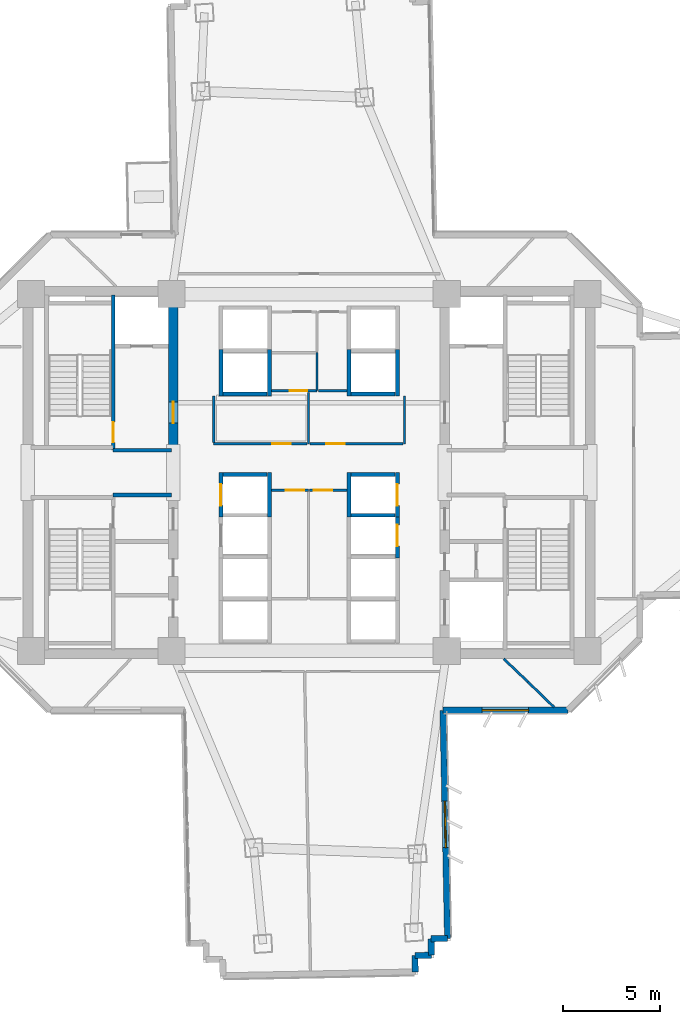
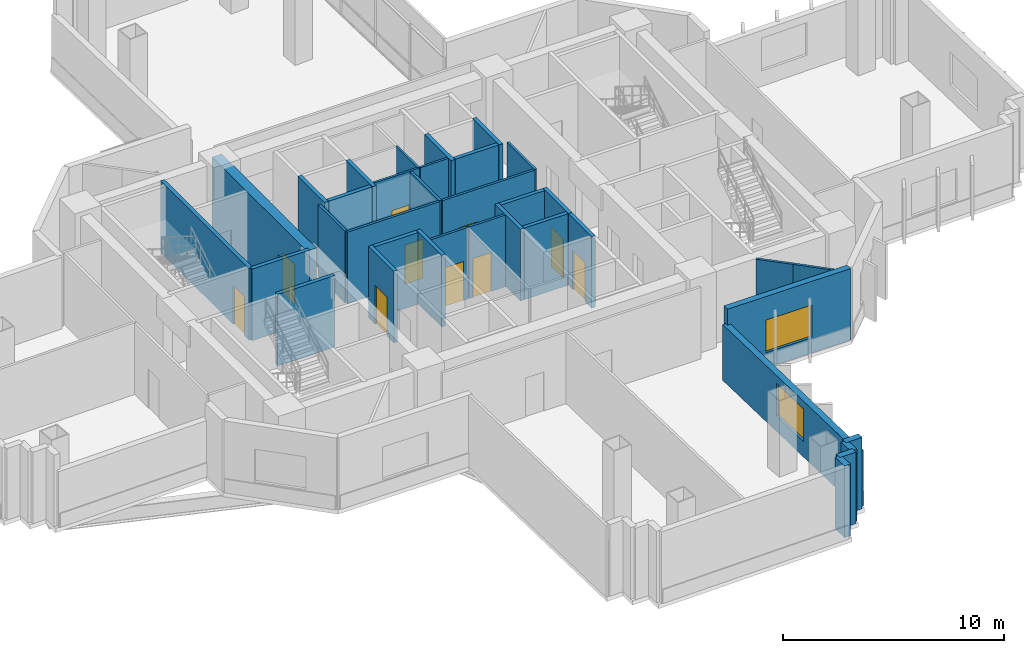
# One storey, part 7 of 15: 36 walls, 10 doors, 2 windows, 12 openings.
"""IFC4 building model written with IfcOpenShell, lengths in metres."""

import ifcopenshell
import ifcopenshell.guid

model = None  # the IFC model being written
_history = None  # IfcOwnerHistory: only IFC2X3 demands one
_inside = {}  # id of a spatial element -> (the spatial element, [elements in it])
_under = {}  # id of a project, library or spatial element -> (it, [spatial elements below it])
_declared = {}  # id of a project -> (the project, [libraries it declares])
_typed = {}  # id of a type object -> (the type object, [elements of that type])
_made_of = {}  # id of a material, layer set ... -> (it, [elements and type objects made of it])


def new_model(schema):
    """Start an empty IFC model of exactly this schema.

    Asked for "IFC4X3", IfcOpenShell would pick the latest addendum, in which some entities
    have other attributes; the version numbers below select the first issue.
    IFC2X3 requires an IfcOwnerHistory on every rooted entity: one is made here for all.
    """
    global model, _history
    if schema == "IFC4X3":
        model = ifcopenshell.file(schema_version=(4, 3, 0, 0))
    else:
        model = ifcopenshell.file(schema=schema)
    _inside.clear()
    _under.clear()
    _declared.clear()
    _typed.clear()
    _made_of.clear()
    _history = None
    if model.schema == "IFC2X3":
        org = make("IfcOrganization", Name="unknown")
        user = make(
            "IfcPersonAndOrganization",
            ThePerson=make("IfcPerson", FamilyName="unknown"),
            TheOrganization=org,
        )
        app = make(
            "IfcApplication",
            ApplicationDeveloper=org,
            Version="unknown",
            ApplicationFullName="unknown",
            ApplicationIdentifier="unknown",
        )
        _history = make(
            "IfcOwnerHistory",
            OwningUser=user,
            OwningApplication=app,
            ChangeAction="ADDED",
            CreationDate=0,
        )
    return model


def make(cls, **values):
    """One entity of the class cls with the attributes given. An attribute that is None is left unset."""
    return model.create_entity(
        cls, **{name: value for name, value in values.items() if value is not None}
    )


def rooted(cls, **values):
    """An entity with a GlobalId (a new one), such as an element, a storey or a relation."""
    return make(cls, GlobalId=ifcopenshell.guid.new(), OwnerHistory=_history, **values)


def si_unit(unit_type, name, prefix=None):
    """IfcSIUnit, for example si_unit("LENGTHUNIT", "METRE", prefix="MILLI")."""
    return make("IfcSIUnit", UnitType=unit_type, Prefix=prefix, Name=name)


def assignment(units):
    """IfcUnitAssignment: the units of a project."""
    return None if units is None else make("IfcUnitAssignment", Units=units)


def point(xyz):
    """IfcCartesianPoint."""
    return None if xyz is None else make("IfcCartesianPoint", Coordinates=xyz)


def direction(xyz):
    """IfcDirection."""
    return None if xyz is None else make("IfcDirection", DirectionRatios=xyz)


def frame(location, z_axis=None, x_axis=None):
    """IfcAxis2Placement3D, a coordinate frame: its origin and axes. An axis left out is left unset."""
    return make(
        "IfcAxis2Placement3D",
        Location=point(location),
        Axis=direction(z_axis),
        RefDirection=direction(x_axis),
    )


def frame_2d(location, x_axis=None):
    """IfcAxis2Placement2D, a coordinate frame in the plane: its origin and x axis."""
    return make(
        "IfcAxis2Placement2D", Location=point(location), RefDirection=direction(x_axis)
    )


def origin():
    """The frame at (0, 0, 0) with its axes left unset."""
    return frame((0.0, 0.0, 0.0))


def place(relative_to, where):
    """IfcLocalPlacement: puts the frame where relative to a parent placement (None: the world)."""
    return make(
        "IfcLocalPlacement", PlacementRelTo=relative_to, RelativePlacement=where
    )


def context(
    kind, dimensions, precision=None, world=None, true_north=None, identifier=None
):
    """IfcGeometricRepresentationContext, for example the 3D "Model" context."""
    return make(
        "IfcGeometricRepresentationContext",
        ContextIdentifier=identifier,
        ContextType=kind,
        CoordinateSpaceDimension=dimensions,
        Precision=precision,
        WorldCoordinateSystem=world,
        TrueNorth=true_north,
    )


def subcontext(parent, identifier, kind, view, scale=None):
    """IfcGeometricRepresentationSubContext, for example "Body" below "Model"."""
    return make(
        "IfcGeometricRepresentationSubContext",
        ContextIdentifier=identifier,
        ContextType=kind,
        ParentContext=parent,
        TargetScale=scale,
        TargetView=view,
    )


def project(units=None, contexts=None):
    """IfcProject with its units and contexts."""
    return rooted(
        "IfcProject",
        Name="project",
        RepresentationContexts=contexts,
        UnitsInContext=assignment(units),
    )


def spatial(cls, under=None, at=None, **own):
    """A site, building, storey or space (cls), placed at a placement, below another one or the project."""
    s = rooted(cls, ObjectPlacement=at, **own)
    if under is not None:
        _under.setdefault(under.id(), (under, []))[1].append(s)
    return s


def profile(cls, at=None, kind="AREA", **sizes):
    """A parametric profile (cls). Its sizes go by their IFC names, for example OverallWidth=200.0."""
    return make(cls, ProfileType=kind, Position=at, **sizes)


def rectangle(**sizes):
    """IfcRectangleProfileDef."""
    return profile("IfcRectangleProfileDef", **sizes)


def extrude(swept, where, along, depth):
    """IfcExtrudedAreaSolid: the profile swept, set in the frame where, extruded along a direction by depth."""
    return make(
        "IfcExtrudedAreaSolid",
        SweptArea=swept,
        Position=where,
        ExtrudedDirection=direction(along),
        Depth=depth,
    )


def shape(context_of_items, identifier, shape_type, items):
    """IfcShapeRepresentation: the items that make up one representation, for example the "Body"."""
    return make(
        "IfcShapeRepresentation",
        ContextOfItems=context_of_items,
        RepresentationIdentifier=identifier,
        RepresentationType=shape_type,
        Items=items,
    )


def source(mapping_origin, context_of_items, identifier, shape_type, items):
    """IfcRepresentationMap: a shape defined once, which mapped items show again and again."""
    return make(
        "IfcRepresentationMap",
        MappingOrigin=mapping_origin,
        MappedRepresentation=shape(context_of_items, identifier, shape_type, items),
    )


def transform(
    local_origin,
    x_axis=None,
    y_axis=None,
    z_axis=None,
    scale=None,
    scale2=None,
    scale3=None,
    uniform=True,
):
    """IfcCartesianTransformationOperator3D, or its non-uniform kind. x_axis, y_axis, z_axis: its Axis1, 2, 3."""
    if uniform:
        return make(
            "IfcCartesianTransformationOperator3D",
            Axis1=direction(x_axis),
            Axis2=direction(y_axis),
            LocalOrigin=point(local_origin),
            Scale=scale,
            Axis3=direction(z_axis),
        )
    return make(
        "IfcCartesianTransformationOperator3DnonUniform",
        Axis1=direction(x_axis),
        Axis2=direction(y_axis),
        LocalOrigin=point(local_origin),
        Scale=scale,
        Axis3=direction(z_axis),
        Scale2=scale2,
        Scale3=scale3,
    )


def mapped(mapping_source, mapping_target):
    """IfcMappedItem: shows the shape of a source again, moved by a transform."""
    return make(
        "IfcMappedItem", MappingSource=mapping_source, MappingTarget=mapping_target
    )


def material(Name=None, Category=None):
    """IfcMaterial."""
    return make("IfcMaterial", Name=Name, Category=Category)


def layer(
    of_material, thickness, ventilated=None, Name=None, Category=None, Priority=None
):
    """IfcMaterialLayer: one layer of a wall or slab, of a material (None: an air gap)."""
    return make(
        "IfcMaterialLayer",
        Material=of_material,
        LayerThickness=thickness,
        IsVentilated=ventilated,
        Name=Name,
        Category=Category,
        Priority=Priority,
    )


def layer_set(layers, Name=None):
    """IfcMaterialLayerSet."""
    return make("IfcMaterialLayerSet", MaterialLayers=layers, LayerSetName=Name)


def made_of(thing, what):
    """Note that an element or type object is made of a material, layer set ...; save() writes the relation."""
    if what is not None:
        _made_of.setdefault(what.id(), (what, []))[1].append(thing)
    return thing


def type_object(cls, material=None, **own):
    """A type object (cls), such as IfcWallType, which elements share."""
    return made_of(rooted(cls, **own), material)


def element(
    cls,
    number,
    at=None,
    inside=None,
    cuts=None,
    type_object=None,
    material=None,
    context=None,
    identifier="Body",
    shape_type=None,
    held_by="IfcProductDefinitionShape",
    body=None,
    shapes=None,
    **own,
):
    """One element of the class cls, such as IfcWall. Its Tag is "e" and its number.

    at: its placement. inside: the storey or other place that contains it. cuts: it is an
    opening in that element (IfcRelVoidsElement). A single representation is given by context,
    identifier, shape_type and body (its items); several are given by shapes. held_by: the class
    of the entity that holds the representations. save() writes the other relations.
    """
    e = rooted(cls, Tag="e%d" % number, ObjectPlacement=at, **own)
    if body is not None:
        shapes = [shape(context, identifier, shape_type, body)]
    if shapes is not None:
        e.Representation = make(held_by, Representations=shapes)
    if inside is not None:
        _inside.setdefault(inside.id(), (inside, []))[1].append(e)
    if cuts is not None:
        rooted(
            "IfcRelVoidsElement", RelatingBuildingElement=cuts, RelatedOpeningElement=e
        )
    if type_object is not None:
        _typed.setdefault(type_object.id(), (type_object, []))[1].append(e)
    return made_of(e, material)


def fill(opening, filler):
    """IfcRelFillsElement: the door or window that sits in an opening."""
    return rooted(
        "IfcRelFillsElement",
        RelatingOpeningElement=opening,
        RelatedBuildingElement=filler,
    )


def aggregate(whole, parts):
    """IfcRelAggregates: a whole, such as a stair, and the parts it consists of."""
    return rooted("IfcRelAggregates", RelatingObject=whole, RelatedObjects=parts)


def save(model, path):
    """Write the relations noted so far, then the file.

    IfcRelAggregates (storeys below a building ...), IfcRelContainedInSpatialStructure (elements
    in a storey), IfcRelDefinesByType, IfcRelAssociatesMaterial and IfcRelDeclares: one each for
    every whole, place, type object, material and project.
    """
    for whole, parts in _under.values():
        aggregate(whole, parts)
    for where, things in _inside.values():
        rooted(
            "IfcRelContainedInSpatialStructure",
            RelatedElements=things,
            RelatingStructure=where,
        )
    for kind, things in _typed.values():
        rooted("IfcRelDefinesByType", RelatedObjects=things, RelatingType=kind)
    for what, things in _made_of.values():
        rooted("IfcRelAssociatesMaterial", RelatedObjects=things, RelatingMaterial=what)
    for by, libraries in _declared.values():
        rooted("IfcRelDeclares", RelatingContext=by, RelatedDefinitions=libraries)
    model.write(path)


model = new_model("IFC4")

# Units and contexts
model_context = context("Model", 3, precision=1e-05, world=origin(), true_north=direction((0.0, 1.0)))
body_context = subcontext(model_context, "Body", "Model", "MODEL_VIEW")
ifc_project = project(units=[si_unit("LENGTHUNIT", "METRE"), si_unit("AREAUNIT", "SQUARE_METRE"), si_unit("VOLUMEUNIT", "CUBIC_METRE"), si_unit("PLANEANGLEUNIT", "RADIAN"), si_unit("MASSUNIT", "GRAM", prefix="KILO")], contexts=[model_context])

# Site, building, storey
site_placement = place(None, origin())
site = spatial("IfcSite", under=ifc_project, at=site_placement, CompositionType="ELEMENT")
building_placement = place(site_placement, origin())
building = spatial("IfcBuilding", under=site, at=building_placement, Name="Zahravan Cultural Tower", CompositionType="ELEMENT")
storey_placement = place(building_placement, frame((0.0, 0.0, 45.89990234375)))
storey = spatial("IfcBuildingStorey", under=building, at=storey_placement, Name="L09", CompositionType="ELEMENT", Elevation=45.89990234375)

# Wall, opening, door
ifc_material_1 = material(Name="Concrete C60/75", Category="concrete")
ifc_layer_1 = layer(ifc_material_1, 0.5)
ifc_layer_set_1 = layer_set([ifc_layer_1], Name="Concrete C60/75")
wall_type_1 = type_object("IfcWallType", Name="CW-SHEAR-500-C60", PredefinedType="SHEAR", material=ifc_layer_set_1)
wall_1_placement = place(storey_placement, frame((29.0, 28.050048828125, 0.0), z_axis=(0.0, 0.0, 1.0), x_axis=(0.0, 1.0, 0.0)))
wall_1 = element("IfcWall", 1, at=wall_1_placement, inside=storey, type_object=wall_type_1, Name="L09 Core Shear Wall CW-W-EN-L09", PredefinedType="SHEAR", context=body_context, shape_type="SweptSolid", body=[
    extrude(rectangle(XDim=8.550048828125, YDim=0.5, at=frame_2d((4.27490234375, 0.0))), origin(), (0.0, 0.0, 1.0), 3.9501953125),
])
opening_1_placement = place(wall_1_placement, frame((1.5, 0.0, 0.0)))
opening_1 = element("IfcOpeningElement", 2, at=opening_1_placement, cuts=wall_1, Name="Opening D-L09-05", PredefinedType="OPENING", context=body_context, shape_type="SweptSolid", body=[
    extrude(rectangle(XDim=1.10009765625, YDim=2.199951171875, at=frame_2d((0.550048828125, 1.10009765625))), frame((0.0, 0.260009765625, 0.0), z_axis=(0.0, -1.0, 0.0), x_axis=(1.0, 0.0, 0.0)), (0.0, 0.0, 1.0), 0.52001953125),
])
ifc_material_2 = material(Name="Steel ASTM A572 Grade 50", Category="steel")
door_type_1 = type_object("IfcDoorType", Name="DR-LOBBY-1100", OperationType="NOTDEFINED", PredefinedType="DOOR", material=ifc_material_2)
shared_shape_1 = source(origin(), body_context, "Body", "SweptSolid", [
    extrude(rectangle(XDim=1.10009765625, YDim=2.199951171875, at=frame_2d((0.550048828125, 1.10009765625))), frame((0.0, 0.02490234375, 0.0), z_axis=(0.0, -1.0, 0.0), x_axis=(1.0, 0.0, 0.0)), (0.0, 0.0, 1.0), 0.050048828125),
])
door_1_placement = place(opening_1_placement, origin())
door_1 = element("IfcDoor", 3, at=door_1_placement, inside=storey, type_object=door_type_1, Name="L09 Door D-L09-05", OperationType="SINGLE_SWING_LEFT", OverallHeight=2.199951171875, OverallWidth=1.10009765625, PredefinedType="DOOR", context=body_context, shape_type="MappedRepresentation", body=[
    mapped(shared_shape_1, transform((0.0, 0.0, 0.0), x_axis=(1.0, 0.0, 0.0), y_axis=(0.0, 1.0, 0.0), z_axis=(0.0, 0.0, 1.0), scale=1.0)),
])
fill(opening_1, door_1)

# Wall, opening, window
ifc_material_3 = material(Name="Precast concrete C40/50", Category="concrete")
ifc_layer_2 = layer(ifc_material_3, 0.320068359375)
ifc_layer_set_2 = layer_set([ifc_layer_2], Name="Precast concrete C40/50")
wall_type_2 = type_object("IfcWallType", Name="EW-TC-320", PredefinedType="SOLIDWALL", material=ifc_layer_set_2)
wall_2_placement = place(storey_placement, frame((49.342041015625, 14.739990234375, 0.0), z_axis=(0.0, 0.0, 1.0), x_axis=(-1.0, 0.0, 0.0)))
wall_2 = element("IfcWall", 4, at=wall_2_placement, inside=storey, type_object=wall_type_2, Name="L09 Exterior Masonry Frame Wall 14", PredefinedType="SOLIDWALL", context=body_context, shape_type="SweptSolid", body=[
    extrude(rectangle(XDim=6.436767578125, YDim=0.320068359375, at=frame_2d((3.21826171875, 0.0))), origin(), (0.0, 0.0, 1.0), 3.9501953125),
])
opening_2_placement = place(wall_2_placement, frame((2.01806640625, 0.0, 0.85009765625)))
opening_2 = element("IfcOpeningElement", 5, at=opening_2_placement, cuts=wall_2, Name="Opening WN-01", PredefinedType="OPENING", context=body_context, shape_type="SweptSolid", body=[
    extrude(rectangle(XDim=2.39990234375, YDim=1.800048828125, at=frame_2d((1.199951171875, 0.89990234375))), frame((0.0, 0.169921875, 0.0), z_axis=(0.0, -1.0, 0.0), x_axis=(1.0, 0.0, 0.0)), (0.0, 0.0, 1.0), 0.340087890625),
])
ifc_material_4 = material(Name="Low-E solar-control double glazing", Category="glass")
window_type = type_object("IfcWindowType", Name="WN-REC-2400X1800", PartitioningType="DOUBLE_PANEL_VERTICAL", PredefinedType="WINDOW", material=ifc_material_4)
shared_shape_2 = source(origin(), body_context, "Body", "SweptSolid", [
    extrude(rectangle(XDim=2.39990234375, YDim=1.800048828125, at=frame_2d((1.199951171875, 0.89990234375))), frame((0.0, 0.030029296875, 0.0), z_axis=(0.0, -1.0, 0.0), x_axis=(1.0, 0.0, 0.0)), (0.0, 0.0, 1.0), 0.06005859375),
])
window_1_placement = place(opening_2_placement, origin())
window_1 = element("IfcWindow", 6, at=window_1_placement, inside=storey, type_object=window_type, Name="L09 Recessed Solar Window 05", OverallHeight=1.800048828125, OverallWidth=2.39990234375, PartitioningType="DOUBLE_PANEL_VERTICAL", PredefinedType="WINDOW", context=body_context, shape_type="MappedRepresentation", body=[
    mapped(shared_shape_2, transform((0.0, 0.0, 0.0), x_axis=(1.0, 0.0, 0.0), y_axis=(0.0, 1.0, 0.0), z_axis=(0.0, 0.0, 1.0), scale=1.0)),
])
fill(opening_2, window_1)

wall_3_placement = place(storey_placement, frame((42.9052734375, 14.739990234375, 0.0), z_axis=(0.0, 0.0, 1.0), x_axis=(0.019900582882, -0.999801963791, 0.0)))
wall_3 = element("IfcWall", 7, at=wall_3_placement, inside=storey, type_object=wall_type_2, Name="L09 Exterior Masonry Frame Wall 15", PredefinedType="SOLIDWALL", context=body_context, shape_type="SweptSolid", body=[
    extrude(rectangle(XDim=11.76513671875, YDim=0.320068359375, at=frame_2d((5.882568359375, 0.0))), origin(), (0.0, 0.0, 1.0), 3.080078125),
])
opening_3_placement = place(wall_3_placement, frame((4.68310546875, 0.0, 0.85009765625)))
opening_3 = element("IfcOpeningElement", 8, at=opening_3_placement, cuts=wall_3, Name="Opening WN-01", PredefinedType="OPENING", context=body_context, shape_type="SweptSolid", body=[
    extrude(rectangle(XDim=2.39990234375, YDim=1.800048828125, at=frame_2d((1.199951171875, 0.89990234375))), frame((0.0, 0.169921875, 0.0), z_axis=(0.0, -1.0, 0.0), x_axis=(1.0, 0.0, 0.0)), (0.0, 0.0, 1.0), 0.340087890625),
])
window_2_placement = place(opening_3_placement, origin())
window_2 = element("IfcWindow", 9, at=window_2_placement, inside=storey, type_object=window_type, Name="L09 Recessed Solar Window 06", OverallHeight=1.800048828125, OverallWidth=2.39990234375, PartitioningType="DOUBLE_PANEL_VERTICAL", PredefinedType="WINDOW", context=body_context, shape_type="MappedRepresentation", body=[
    mapped(shared_shape_2, transform((0.0, 0.0, 0.0), x_axis=(1.0, 0.0, 0.0), y_axis=(0.0, 1.0, 0.0), z_axis=(0.0, 0.0, 1.0), scale=1.0)),
])
fill(opening_3, window_2)

# Wall, opening, door
ifc_material_5 = material(Name="Gypsum plasterboard partition")
ifc_layer_3 = layer(ifc_material_5, 0.125)
ifc_layer_set_3 = layer_set([ifc_layer_3], Name="Gypsum plasterboard partition")
wall_type_3 = type_object("IfcWallType", Name="W-PART-125", PredefinedType="PARTITIONING", material=ifc_layer_set_3)
wall_4_placement = place(storey_placement, frame((34.054931640625, 26.080078125, 0.0), z_axis=(0.0, 0.0, 1.0), x_axis=(1.0, 0.0, 0.0)))
wall_4 = element("IfcWall", 10, at=wall_4_placement, inside=storey, type_object=wall_type_3, Name="L09 Interior Wall 075", PredefinedType="PARTITIONING", context=body_context, shape_type="SweptSolid", body=[
    extrude(rectangle(XDim=1.9150390625, YDim=0.125, at=frame_2d((0.95751953125, 0.0))), origin(), (0.0, 0.0, 1.0), 3.9501953125),
])
opening_4_placement = place(wall_4_placement, frame((0.752685546875, 0.0, 0.0)))
opening_4 = element("IfcOpeningElement", 11, at=opening_4_placement, cuts=wall_4, Name="Opening D-L09-15", PredefinedType="OPENING", context=body_context, shape_type="SweptSolid", body=[
    extrude(rectangle(XDim=0.949951171875, YDim=2.14990234375, at=frame_2d((0.47509765625, 1.074951171875))), frame((0.0, 0.072509765625, 0.0), z_axis=(0.0, -1.0, 0.0), x_axis=(1.0, 0.0, 0.0)), (0.0, 0.0, 1.0), 0.14501953125),
])
ifc_material_6 = material(Name="Anodised bronze-aluminium mullion", Category="aluminium")
door_type_2 = type_object("IfcDoorType", Name="DR-ROOM-950", OperationType="NOTDEFINED", PredefinedType="DOOR", material=ifc_material_6)
shared_shape_3 = source(origin(), body_context, "Body", "SweptSolid", [
    extrude(rectangle(XDim=0.949951171875, YDim=2.14990234375, at=frame_2d((0.47509765625, 1.074951171875))), frame((0.0, 0.02490234375, 0.0), z_axis=(0.0, -1.0, 0.0), x_axis=(1.0, 0.0, 0.0)), (0.0, 0.0, 1.0), 0.050048828125),
])
door_2_placement = place(opening_4_placement, origin())
door_2 = element("IfcDoor", 12, at=door_2_placement, inside=storey, type_object=door_type_2, Name="L09 Door D-L09-15", OperationType="SINGLE_SWING_LEFT", OverallHeight=2.14990234375, OverallWidth=0.949951171875, PredefinedType="DOOR", context=body_context, shape_type="MappedRepresentation", body=[
    mapped(shared_shape_3, transform((0.0, 0.0, 0.0), x_axis=(1.0, 0.0, 0.0), y_axis=(0.0, 1.0, 0.0), z_axis=(0.0, 0.0, 1.0), scale=1.0)),
])
fill(opening_4, door_2)

wall_5_placement = place(storey_placement, frame((36.030029296875, 26.080078125, 0.0), z_axis=(0.0, 0.0, 1.0), x_axis=(1.0, 0.0, 0.0)))
wall_5 = element("IfcWall", 13, at=wall_5_placement, inside=storey, type_object=wall_type_3, Name="L09 Interior Wall 078", PredefinedType="PARTITIONING", context=body_context, shape_type="SweptSolid", body=[
    extrude(rectangle(XDim=1.9150390625, YDim=0.125, at=frame_2d((0.95751953125, 0.0))), origin(), (0.0, 0.0, 1.0), 3.9501953125),
])
opening_5_placement = place(wall_5_placement, frame((0.21240234375, 0.0, 0.0)))
opening_5 = element("IfcOpeningElement", 14, at=opening_5_placement, cuts=wall_5, Name="Opening D-L09-16", PredefinedType="OPENING", context=body_context, shape_type="SweptSolid", body=[
    extrude(rectangle(XDim=0.949951171875, YDim=2.14990234375, at=frame_2d((0.47509765625, 1.074951171875))), frame((0.0, 0.072509765625, 0.0), z_axis=(0.0, -1.0, 0.0), x_axis=(1.0, 0.0, 0.0)), (0.0, 0.0, 1.0), 0.14501953125),
])
door_3_placement = place(opening_5_placement, origin())
door_3 = element("IfcDoor", 15, at=door_3_placement, inside=storey, type_object=door_type_2, Name="L09 Door D-L09-16", OperationType="SINGLE_SWING_RIGHT", OverallHeight=2.14990234375, OverallWidth=0.949951171875, PredefinedType="DOOR", context=body_context, shape_type="MappedRepresentation", body=[
    mapped(shared_shape_3, transform((0.0, 0.0, 0.0), x_axis=(1.0, 0.0, 0.0), y_axis=(0.0, 1.0, 0.0), z_axis=(0.0, 0.0, 1.0), scale=1.0)),
])
fill(opening_5, door_3)

wall_6_placement = place(storey_placement, frame((35.902587890625, 28.47998046875, 0.0), z_axis=(0.0, 0.0, 1.0), x_axis=(-1.0, 0.0, 0.0)))
wall_6 = element("IfcWall", 16, at=wall_6_placement, inside=storey, type_object=wall_type_3, Name="L09 Interior Wall 081", PredefinedType="PARTITIONING", context=body_context, shape_type="SweptSolid", body=[
    extrude(rectangle(XDim=4.822509765625, YDim=0.125, at=frame_2d((2.4111328125, 0.0))), origin(), (0.0, 0.0, 1.0), 3.9501953125),
])
opening_6_placement = place(wall_6_placement, frame((0.85205078125, 0.0, 0.0)))
opening_6 = element("IfcOpeningElement", 17, at=opening_6_placement, cuts=wall_6, Name="Opening D-L09-17", PredefinedType="OPENING", context=body_context, shape_type="SweptSolid", body=[
    extrude(rectangle(XDim=0.949951171875, YDim=2.14990234375, at=frame_2d((0.47509765625, 1.074951171875))), frame((0.0, 0.072509765625, 0.0), z_axis=(0.0, -1.0, 0.0), x_axis=(1.0, 0.0, 0.0)), (0.0, 0.0, 1.0), 0.14501953125),
])
door_4_placement = place(opening_6_placement, origin())
door_4 = element("IfcDoor", 18, at=door_4_placement, inside=storey, type_object=door_type_2, Name="L09 Door D-L09-17", OperationType="SINGLE_SWING_LEFT", OverallHeight=2.14990234375, OverallWidth=0.949951171875, PredefinedType="DOOR", context=body_context, shape_type="MappedRepresentation", body=[
    mapped(shared_shape_3, transform((0.0, 0.0, 0.0), x_axis=(1.0, 0.0, 0.0), y_axis=(0.0, 1.0, 0.0), z_axis=(0.0, 0.0, 1.0), scale=1.0)),
])
fill(opening_6, door_4)

wall_7_placement = place(storey_placement, frame((40.8525390625, 28.47998046875, 0.0), z_axis=(0.0, 0.0, 1.0), x_axis=(-1.0, 0.0, 0.0)))
wall_7 = element("IfcWall", 19, at=wall_7_placement, inside=storey, type_object=wall_type_3, Name="L09 Interior Wall 084", PredefinedType="PARTITIONING", context=body_context, shape_type="SweptSolid", body=[
    extrude(rectangle(XDim=4.81494140625, YDim=0.125, at=frame_2d((2.407470703125, 0.0))), origin(), (0.0, 0.0, 1.0), 3.9501953125),
])
opening_7_placement = place(wall_7_placement, frame((3.0146484375, 0.0, 0.0)))
opening_7 = element("IfcOpeningElement", 20, at=opening_7_placement, cuts=wall_7, Name="Opening D-L09-18", PredefinedType="OPENING", context=body_context, shape_type="SweptSolid", body=[
    extrude(rectangle(XDim=0.949951171875, YDim=2.14990234375, at=frame_2d((0.47509765625, 1.074951171875))), frame((0.0, 0.072509765625, 0.0), z_axis=(0.0, -1.0, 0.0), x_axis=(1.0, 0.0, 0.0)), (0.0, 0.0, 1.0), 0.14501953125),
])
door_5_placement = place(opening_7_placement, origin())
door_5 = element("IfcDoor", 21, at=door_5_placement, inside=storey, type_object=door_type_2, Name="L09 Door D-L09-18", OperationType="SINGLE_SWING_RIGHT", OverallHeight=2.14990234375, OverallWidth=0.949951171875, PredefinedType="DOOR", context=body_context, shape_type="MappedRepresentation", body=[
    mapped(shared_shape_3, transform((0.0, 0.0, 0.0), x_axis=(1.0, 0.0, 0.0), y_axis=(0.0, 1.0, 0.0), z_axis=(0.0, 0.0, 1.0), scale=1.0)),
])
fill(opening_7, door_5)

ifc_material_7 = material(Name="Concrete C45/55", Category="concrete")
ifc_layer_4 = layer(ifc_material_7, 0.199951171875)
ifc_layer_set_4 = layer_set([ifc_layer_4], Name="Concrete C45/55")
wall_type_4 = type_object("IfcWallType", Name="W-SHAFT-200", PredefinedType="SOLIDWALL", material=ifc_layer_set_4)
wall_8_placement = place(storey_placement, frame((25.89990234375, 28.14990234375, 0.0), z_axis=(0.0, 0.0, 1.0), x_axis=(0.0, 1.0, 0.0)))
wall_8 = element("IfcWall", 22, at=wall_8_placement, inside=storey, type_object=wall_type_4, Name="L09 Interior Wall 006", PredefinedType="SOLIDWALL", context=body_context, shape_type="SweptSolid", body=[
    extrude(rectangle(XDim=8.0, YDim=0.199951171875, at=frame_2d((4.0, 0.0))), origin(), (0.0, 0.0, 1.0), 3.9501953125),
])
opening_8_placement = place(wall_8_placement, frame((0.39990234375, 0.0, 0.0)))
opening_8 = element("IfcOpeningElement", 23, at=opening_8_placement, cuts=wall_8, Name="Opening D-L09-01", PredefinedType="OPENING", context=body_context, shape_type="SweptSolid", body=[
    extrude(rectangle(XDim=1.050048828125, YDim=2.14990234375, at=frame_2d((0.52490234375, 1.074951171875))), frame((0.0, 0.10986328125, 0.0), z_axis=(0.0, -1.0, 0.0), x_axis=(1.0, 0.0, 0.0)), (0.0, 0.0, 1.0), 0.219970703125),
])
door_type_3 = type_object("IfcDoorType", Name="DR-STAIR-1050", OperationType="NOTDEFINED", PredefinedType="DOOR", material=ifc_material_2)
shared_shape_4 = source(origin(), body_context, "Body", "SweptSolid", [
    extrude(rectangle(XDim=1.050048828125, YDim=2.14990234375, at=frame_2d((0.52490234375, 1.074951171875))), frame((0.0, 0.02490234375, 0.0), z_axis=(0.0, -1.0, 0.0), x_axis=(1.0, 0.0, 0.0)), (0.0, 0.0, 1.0), 0.050048828125),
])
door_6_placement = place(opening_8_placement, origin())
door_6 = element("IfcDoor", 24, at=door_6_placement, inside=storey, type_object=door_type_3, Name="L09 Door D-L09-01", OperationType="SINGLE_SWING_LEFT", OverallHeight=2.14990234375, OverallWidth=1.050048828125, PredefinedType="DOOR", context=body_context, shape_type="MappedRepresentation", body=[
    mapped(shared_shape_4, transform((0.0, 0.0, 0.0), x_axis=(1.0, 0.0, 0.0), y_axis=(0.0, 1.0, 0.0), z_axis=(0.0, 0.0, 1.0), scale=1.0)),
])
fill(opening_8, door_6)

wall_9_placement = place(storey_placement, frame((31.449951171875, 24.699951171875, 0.0), z_axis=(0.0, 0.0, 1.0), x_axis=(0.0, 1.0, 0.0)))
wall_9 = element("IfcWall", 25, at=wall_9_placement, inside=storey, type_object=wall_type_4, Name="L09 Interior Wall 056", PredefinedType="SOLIDWALL", context=body_context, shape_type="SweptSolid", body=[
    extrude(rectangle(XDim=2.300048828125, YDim=0.199951171875, at=frame_2d((1.14990234375, 0.0))), origin(), (0.0, 0.0, 1.0), 3.9501953125),
])
opening_9_placement = place(wall_9_placement, frame((0.60009765625, 0.0, 0.0)))
opening_9 = element("IfcOpeningElement", 26, at=opening_9_placement, cuts=wall_9, Name="Opening LD-L09-04", PredefinedType="OPENING", context=body_context, shape_type="SweptSolid", body=[
    extrude(rectangle(XDim=1.10009765625, YDim=2.14990234375, at=frame_2d((0.550048828125, 1.074951171875))), frame((0.0, 0.10986328125, 0.0), z_axis=(0.0, -1.0, 0.0), x_axis=(1.0, 0.0, 0.0)), (0.0, 0.0, 1.0), 0.219970703125),
])
door_type_4 = type_object("IfcDoorType", Name="DR-LIFT-1100", OperationType="DOUBLE_DOOR_SLIDING", PredefinedType="DOOR", material=ifc_material_2)
shared_shape_5 = source(origin(), body_context, "Body", "SweptSolid", [
    extrude(rectangle(XDim=1.10009765625, YDim=2.14990234375, at=frame_2d((0.550048828125, 1.074951171875))), frame((0.0, 0.02490234375, 0.0), z_axis=(0.0, -1.0, 0.0), x_axis=(1.0, 0.0, 0.0)), (0.0, 0.0, 1.0), 0.050048828125),
])
door_7_placement = place(opening_9_placement, origin())
door_7 = element("IfcDoor", 27, at=door_7_placement, inside=storey, type_object=door_type_4, Name="L09 Door LD-L09-04", OperationType="DOUBLE_DOOR_SLIDING", OverallHeight=2.14990234375, OverallWidth=1.10009765625, PredefinedType="DOOR", context=body_context, shape_type="MappedRepresentation", body=[
    mapped(shared_shape_5, transform((0.0, 0.0, 0.0), x_axis=(1.0, 0.0, 0.0), y_axis=(0.0, 1.0, 0.0), z_axis=(0.0, 0.0, 1.0), scale=1.0)),
])
fill(opening_9, door_7)

wall_10_placement = place(storey_placement, frame((40.550048828125, 24.699951171875, 0.0), z_axis=(0.0, 0.0, 1.0), x_axis=(0.0, 1.0, 0.0)))
wall_10 = element("IfcWall", 28, at=wall_10_placement, inside=storey, type_object=wall_type_4, Name="L09 Interior Wall 063", PredefinedType="SOLIDWALL", context=body_context, shape_type="SweptSolid", body=[
    extrude(rectangle(XDim=2.300048828125, YDim=0.199951171875, at=frame_2d((1.14990234375, 0.0))), origin(), (0.0, 0.0, 1.0), 3.9501953125),
])
opening_10_placement = place(wall_10_placement, frame((0.60009765625, 0.0, 0.0)))
opening_10 = element("IfcOpeningElement", 29, at=opening_10_placement, cuts=wall_10, Name="Opening LD-L09-06", PredefinedType="OPENING", context=body_context, shape_type="SweptSolid", body=[
    extrude(rectangle(XDim=1.10009765625, YDim=2.14990234375, at=frame_2d((0.550048828125, 1.074951171875))), frame((0.0, 0.10986328125, 0.0), z_axis=(0.0, -1.0, 0.0), x_axis=(1.0, 0.0, 0.0)), (0.0, 0.0, 1.0), 0.219970703125),
])
door_8_placement = place(opening_10_placement, origin())
door_8 = element("IfcDoor", 30, at=door_8_placement, inside=storey, type_object=door_type_4, Name="L09 Door LD-L09-06", OperationType="DOUBLE_DOOR_SLIDING", OverallHeight=2.14990234375, OverallWidth=1.10009765625, PredefinedType="DOOR", context=body_context, shape_type="MappedRepresentation", body=[
    mapped(shared_shape_5, transform((0.0, 0.0, 0.0), x_axis=(1.0, 0.0, 0.0), y_axis=(0.0, 1.0, 0.0), z_axis=(0.0, 0.0, 1.0), scale=1.0)),
])
fill(opening_10, door_8)

wall_11_placement = place(storey_placement, frame((40.550048828125, 22.60009765625, 0.0), z_axis=(0.0, 0.0, 1.0), x_axis=(0.0, 1.0, 0.0)))
wall_11 = element("IfcWall", 31, at=wall_11_placement, inside=storey, type_object=wall_type_4, Name="L09 Interior Wall 067", PredefinedType="SOLIDWALL", context=body_context, shape_type="SweptSolid", body=[
    extrude(rectangle(XDim=2.2998046875, YDim=0.199951171875, at=frame_2d((1.14990234375, 0.0))), origin(), (0.0, 0.0, 1.0), 3.9501953125),
])
opening_11_placement = place(wall_11_placement, frame((0.60009765625, 0.0, 0.0)))
opening_11 = element("IfcOpeningElement", 32, at=opening_11_placement, cuts=wall_11, Name="Opening LD-L09-07", PredefinedType="OPENING", context=body_context, shape_type="SweptSolid", body=[
    extrude(rectangle(XDim=1.10009765625, YDim=2.14990234375, at=frame_2d((0.550048828125, 1.074951171875))), frame((0.0, 0.10986328125, 0.0), z_axis=(0.0, -1.0, 0.0), x_axis=(1.0, 0.0, 0.0)), (0.0, 0.0, 1.0), 0.219970703125),
])
door_9_placement = place(opening_11_placement, origin())
door_9 = element("IfcDoor", 33, at=door_9_placement, inside=storey, type_object=door_type_4, Name="L09 Door LD-L09-07", OperationType="DOUBLE_DOOR_SLIDING", OverallHeight=2.14990234375, OverallWidth=1.10009765625, PredefinedType="DOOR", context=body_context, shape_type="MappedRepresentation", body=[
    mapped(shared_shape_5, transform((0.0, 0.0, 0.0), x_axis=(1.0, 0.0, 0.0), y_axis=(0.0, 1.0, 0.0), z_axis=(0.0, 0.0, 1.0), scale=1.0)),
])
fill(opening_11, door_9)

ifc_layer_5 = layer(ifc_material_5, 0.114990234375)
ifc_layer_set_5 = layer_set([ifc_layer_5], Name="Gypsum plasterboard partition")
wall_type_5 = type_object("IfcWallType", Name="W-WC-115", PredefinedType="PARTITIONING", material=ifc_layer_set_5)
wall_12_placement = place(storey_placement, frame((36.409912109375, 31.219970703125, 0.0), z_axis=(0.0, 0.0, 1.0), x_axis=(-1.0, 0.0, 0.0)))
wall_12 = element("IfcWall", 34, at=wall_12_placement, inside=storey, type_object=wall_type_5, Name="L09 Interior Wall 068", PredefinedType="PARTITIONING", context=body_context, shape_type="SweptSolid", body=[
    extrude(rectangle(XDim=2.35498046875, YDim=0.114990234375, at=frame_2d((1.177490234375, 0.0))), origin(), (0.0, 0.0, 1.0), 3.9501953125),
])
opening_12_placement = place(wall_12_placement, frame((0.5166015625, 0.0, 0.0)))
opening_12 = element("IfcOpeningElement", 35, at=opening_12_placement, cuts=wall_12, Name="Opening D-L09-25", PredefinedType="OPENING", context=body_context, shape_type="SweptSolid", body=[
    extrude(rectangle(XDim=0.89990234375, YDim=2.10009765625, at=frame_2d((0.449951171875, 1.050048828125))), frame((0.0, 0.0673828125, 0.0), z_axis=(0.0, -1.0, 0.0), x_axis=(1.0, 0.0, 0.0)), (0.0, 0.0, 1.0), 0.135009765625),
])
door_type_5 = type_object("IfcDoorType", Name="DR-WC-900", OperationType="NOTDEFINED", PredefinedType="DOOR", material=ifc_material_6)
shared_shape_6 = source(origin(), body_context, "Body", "SweptSolid", [
    extrude(rectangle(XDim=0.89990234375, YDim=2.10009765625, at=frame_2d((0.449951171875, 1.050048828125))), frame((0.0, 0.02490234375, 0.0), z_axis=(0.0, -1.0, 0.0), x_axis=(1.0, 0.0, 0.0)), (0.0, 0.0, 1.0), 0.050048828125),
])
door_10_placement = place(opening_12_placement, origin())
door_10 = element("IfcDoor", 36, at=door_10_placement, inside=storey, type_object=door_type_5, Name="L09 Door D-L09-25", OperationType="SINGLE_SWING_LEFT", OverallHeight=2.10009765625, OverallWidth=0.89990234375, PredefinedType="DOOR", context=body_context, shape_type="MappedRepresentation", body=[
    mapped(shared_shape_6, transform((0.0, 0.0, 0.0), x_axis=(1.0, 0.0, 0.0), y_axis=(0.0, 1.0, 0.0), z_axis=(0.0, 0.0, 1.0), scale=1.0)),
])
fill(opening_12, door_10)

# Walls
shared_shape_7 = source(origin(), body_context, "Body", "SweptSolid", [
    extrude(rectangle(XDim=0.85009765625, YDim=0.320068359375, at=frame_2d((0.425048828125, 0.0))), origin(), (0.0, 0.0, 1.0), 3.9501953125),
])
for number, where, z_axis, x_axis, name in (
    (37, (43.139404296875, 2.977294921875, 0.0), (0.0, 0.0, 1.0), (-0.999803604205, -0.019817997326, 0.0), "L09 Exterior Masonry Frame Wall 16"),
    (38, (42.28955078125, 2.96044921875, 0.0), (0.0, 0.0, 1.0), (0.019817997326, -0.999803604205, 0.0), "L09 Exterior Masonry Frame Wall 17"),
    (39, (42.306396484375, 2.110595703125, 0.0), (0.0, 0.0, 1.0), (-0.999797872061, -0.020105099409, 0.0), "L09 Exterior Masonry Frame Wall 18"),
):
    element("IfcWall", number, at=place(storey_placement, frame(where, z_axis=z_axis, x_axis=x_axis)), inside=storey, type_object=wall_type_2, Name=name, PredefinedType="SOLIDWALL", context=body_context, shape_type="MappedRepresentation", body=[
        mapped(shared_shape_7, transform((0.0, 0.0, 0.0), x_axis=(1.0, 0.0, 0.0), y_axis=(0.0, 1.0, 0.0), z_axis=(0.0, 0.0, 1.0), scale=1.0)),
    ])
shared_shape_8 = source(origin(), body_context, "Body", "SweptSolid", [
    extrude(rectangle(XDim=0.849853515625, YDim=0.320068359375, at=frame_2d((0.4248046875, 0.0))), origin(), (0.0, 0.0, 1.0), 3.9501953125),
])
wall_13_placement = place(storey_placement, frame((41.45654296875, 2.093505859375, 0.0), z_axis=(0.0, 0.0, 1.0), x_axis=(0.019823689915, -0.999803491351, 0.0)))
element("IfcWall", 40, at=wall_13_placement, inside=storey, type_object=wall_type_2, Name="L09 Exterior Masonry Frame Wall 19", PredefinedType="SOLIDWALL", context=body_context, shape_type="MappedRepresentation", body=[
    mapped(shared_shape_8, transform((0.0, 0.0, 0.0), x_axis=(1.0, 0.0, 0.0), y_axis=(0.0, 1.0, 0.0), z_axis=(0.0, 0.0, 1.0), scale=1.0)),
])
shared_shape_9 = source(origin(), body_context, "Body", "SweptSolid", [
    extrude(rectangle(XDim=3.0, YDim=0.199951171875, at=frame_2d((1.5, 0.0))), origin(), (0.0, 0.0, 1.0), 3.9501953125),
])
for number, where, z_axis, x_axis, name in (
    (41, (25.89990234375, 25.85009765625, 0.0), (0.0, 0.0, 1.0), (1.0, 0.0, 0.0), "L09 Interior Wall 010"),
    (42, (25.89990234375, 28.14990234375, 0.0), (0.0, 0.0, 1.0), (1.0, 0.0, 0.0), "L09 Interior Wall 012"),
):
    element("IfcWall", number, at=place(storey_placement, frame(where, z_axis=z_axis, x_axis=x_axis)), inside=storey, type_object=wall_type_4, Name=name, PredefinedType="SOLIDWALL", context=body_context, shape_type="MappedRepresentation", body=[
        mapped(shared_shape_9, transform((0.0, 0.0, 0.0), x_axis=(1.0, 0.0, 0.0), y_axis=(0.0, 1.0, 0.0), z_axis=(0.0, 0.0, 1.0), scale=1.0)),
    ])
shared_shape_10 = source(origin(), body_context, "Body", "SweptSolid", [
    extrude(rectangle(XDim=2.400146484375, YDim=0.199951171875, at=frame_2d((1.2001953125, 0.0))), origin(), (0.0, 0.0, 1.0), 3.9501953125),
])
for number, where, z_axis, x_axis, name in (
    (43, (31.449951171875, 30.949951171875, 0.0), (0.0, 0.0, 1.0), (0.0, 1.0, 0.0), "L09 Interior Wall 032"),
    (44, (33.949951171875, 30.949951171875, 0.0), (0.0, 0.0, 1.0), (0.0, 1.0, 0.0), "L09 Interior Wall 033"),
    (45, (38.050048828125, 30.949951171875, 0.0), (0.0, 0.0, 1.0), (0.0, 1.0, 0.0), "L09 Interior Wall 039"),
    (46, (40.550048828125, 30.949951171875, 0.0), (0.0, 0.0, 1.0), (0.0, 1.0, 0.0), "L09 Interior Wall 040"),
):
    element("IfcWall", number, at=place(storey_placement, frame(where, z_axis=z_axis, x_axis=x_axis)), inside=storey, type_object=wall_type_4, Name=name, PredefinedType="SOLIDWALL", context=body_context, shape_type="MappedRepresentation", body=[
        mapped(shared_shape_10, transform((0.0, 0.0, 0.0), x_axis=(1.0, 0.0, 0.0), y_axis=(0.0, 1.0, 0.0), z_axis=(0.0, 0.0, 1.0), scale=1.0)),
    ])
shared_shape_11 = source(origin(), body_context, "Body", "SweptSolid", [
    extrude(rectangle(XDim=2.260009765625, YDim=0.199951171875, at=frame_2d((1.1298828125, 0.0))), origin(), (0.0, 0.0, 1.0), 3.9501953125),
])
for number, where, z_axis, x_axis, name in (
    (47, (31.570068359375, 31.050048828125, 0.0), (0.0, 0.0, 1.0), (1.0, 0.0, 0.0), "L09 Interior Wall 034"),
    (48, (38.169921875, 31.050048828125, 0.0), (0.0, 0.0, 1.0), (1.0, 0.0, 0.0), "L09 Interior Wall 041"),
    (49, (31.570068359375, 26.89990234375, 0.0), (0.0, 0.0, 1.0), (1.0, 0.0, 0.0), "L09 Interior Wall 059"),
    (50, (38.169921875, 24.800048828125, 0.0), (0.0, 0.0, 1.0), (1.0, 0.0, 0.0), "L09 Interior Wall 064"),
    (51, (38.169921875, 26.89990234375, 0.0), (0.0, 0.0, 1.0), (1.0, 0.0, 0.0), "L09 Interior Wall 065"),
):
    element("IfcWall", number, at=place(storey_placement, frame(where, z_axis=z_axis, x_axis=x_axis)), inside=storey, type_object=wall_type_4, Name=name, PredefinedType="SOLIDWALL", context=body_context, shape_type="MappedRepresentation", body=[
        mapped(shared_shape_11, transform((0.0, 0.0, 0.0), x_axis=(1.0, 0.0, 0.0), y_axis=(0.0, 1.0, 0.0), z_axis=(0.0, 0.0, 1.0), scale=1.0)),
    ])
shared_shape_12 = source(origin(), body_context, "Body", "SweptSolid", [
    extrude(rectangle(XDim=2.300048828125, YDim=0.199951171875, at=frame_2d((1.14990234375, 0.0))), origin(), (0.0, 0.0, 1.0), 3.9501953125),
])
for number, where, z_axis, x_axis, name in (
    (52, (33.949951171875, 24.699951171875, 0.0), (0.0, 0.0, 1.0), (0.0, 1.0, 0.0), "L09 Interior Wall 057"),
    (53, (38.050048828125, 24.699951171875, 0.0), (0.0, 0.0, 1.0), (0.0, 1.0, 0.0), "L09 Interior Wall 062"),
):
    element("IfcWall", number, at=place(storey_placement, frame(where, z_axis=z_axis, x_axis=x_axis)), inside=storey, type_object=wall_type_4, Name=name, PredefinedType="SOLIDWALL", context=body_context, shape_type="MappedRepresentation", body=[
        mapped(shared_shape_12, transform((0.0, 0.0, 0.0), x_axis=(1.0, 0.0, 0.0), y_axis=(0.0, 1.0, 0.0), z_axis=(0.0, 0.0, 1.0), scale=1.0)),
    ])
shared_shape_13 = source(origin(), body_context, "Body", "SweptSolid", [
    extrude(rectangle(XDim=1.9599609375, YDim=0.114990234375, at=frame_2d((0.97998046875, 0.0))), origin(), (0.0, 0.0, 1.0), 3.9501953125),
])
wall_14_placement = place(storey_placement, frame((36.409912109375, 33.179931640625, 0.0), z_axis=(0.0, 0.0, 1.0), x_axis=(0.0, -1.0, 0.0)))
element("IfcWall", 54, at=wall_14_placement, inside=storey, type_object=wall_type_5, Name="L09 Interior Wall 070", PredefinedType="PARTITIONING", context=body_context, shape_type="MappedRepresentation", body=[
    mapped(shared_shape_13, transform((0.0, 0.0, 0.0), x_axis=(1.0, 0.0, 0.0), y_axis=(0.0, 1.0, 0.0), z_axis=(0.0, 0.0, 1.0), scale=1.0)),
])
shared_shape_14 = source(origin(), body_context, "Body", "SweptSolid", [
    extrude(rectangle(XDim=1.47265625, YDim=0.114990234375, at=frame_2d((0.736328125, 0.0))), origin(), (0.0, 0.0, 1.0), 3.9501953125),
])
wall_15_placement = place(storey_placement, frame((37.945068359375, 31.219970703125, 0.0), z_axis=(0.0, 0.0, 1.0), x_axis=(-1.0, 0.0, 0.0)))
element("IfcWall", 55, at=wall_15_placement, inside=storey, type_object=wall_type_5, Name="L09 Interior Wall 073", PredefinedType="PARTITIONING", context=body_context, shape_type="MappedRepresentation", body=[
    mapped(shared_shape_14, transform((0.0, 0.0, 0.0), x_axis=(1.0, 0.0, 0.0), y_axis=(0.0, 1.0, 0.0), z_axis=(0.0, 0.0, 1.0), scale=1.0)),
])
shared_shape_15 = source(origin(), body_context, "Body", "SweptSolid", [
    extrude(rectangle(XDim=2.659912109375, YDim=0.125, at=frame_2d((1.330078125, 0.0))), origin(), (0.0, 0.0, 1.0), 3.9501953125),
])
wall_16_placement = place(storey_placement, frame((35.969970703125, 31.139892578125, 0.0), z_axis=(0.0, 0.0, 1.0), x_axis=(0.0, -1.0, 0.0)))
element("IfcWall", 56, at=wall_16_placement, inside=storey, type_object=wall_type_3, Name="L09 Interior Wall 080", PredefinedType="PARTITIONING", context=body_context, shape_type="MappedRepresentation", body=[
    mapped(shared_shape_15, transform((0.0, 0.0, 0.0), x_axis=(1.0, 0.0, 0.0), y_axis=(0.0, 1.0, 0.0), z_axis=(0.0, 0.0, 1.0), scale=1.0)),
])
shared_shape_16 = source(origin(), body_context, "Body", "SweptSolid", [
    extrude(rectangle(XDim=2.40234375, YDim=0.125, at=frame_2d((1.201171875, 0.0))), origin(), (0.0, 0.0, 1.0), 3.9501953125),
])
wall_17_placement = place(storey_placement, frame((31.080078125, 28.547607421875, 0.0), z_axis=(0.0, 0.0, 1.0), x_axis=(0.0, 1.0, 0.0)))
element("IfcWall", 57, at=wall_17_placement, inside=storey, type_object=wall_type_3, Name="L09 Interior Wall 082", PredefinedType="PARTITIONING", context=body_context, shape_type="MappedRepresentation", body=[
    mapped(shared_shape_16, transform((0.0, 0.0, 0.0), x_axis=(1.0, 0.0, 0.0), y_axis=(0.0, 1.0, 0.0), z_axis=(0.0, 0.0, 1.0), scale=1.0)),
])
shared_shape_17 = source(origin(), body_context, "Body", "SweptSolid", [
    extrude(rectangle(XDim=2.469970703125, YDim=0.125, at=frame_2d((1.23486328125, 0.0))), origin(), (0.0, 0.0, 1.0), 3.9501953125),
])
wall_18_placement = place(storey_placement, frame((40.919921875, 30.949951171875, 0.0), z_axis=(0.0, 0.0, 1.0), x_axis=(0.0, -1.0, 0.0)))
element("IfcWall", 58, at=wall_18_placement, inside=storey, type_object=wall_type_3, Name="L09 Interior Wall 083", PredefinedType="PARTITIONING", context=body_context, shape_type="MappedRepresentation", body=[
    mapped(shared_shape_17, transform((0.0, 0.0, 0.0), x_axis=(1.0, 0.0, 0.0), y_axis=(0.0, 1.0, 0.0), z_axis=(0.0, 0.0, 1.0), scale=1.0)),
])
shared_shape_18 = source(origin(), body_context, "Body", "SweptSolid", [
    extrude(rectangle(XDim=1.715087890625, YDim=0.125, at=frame_2d((0.857421875, 0.0))), origin(), (0.0, 0.0, 1.0), 3.9501953125),
])
wall_19_placement = place(storey_placement, frame((46.033935546875, 17.39501953125, 0.0), z_axis=(0.0, 0.0, 1.0), x_axis=(0.724259786069, -0.689527201989, 0.0)))
element("IfcWall", 59, at=wall_19_placement, inside=storey, type_object=wall_type_3, Name="L09 Interior Wall 097", PredefinedType="PARTITIONING", context=body_context, shape_type="MappedRepresentation", body=[
    mapped(shared_shape_18, transform((0.0, 0.0, 0.0), x_axis=(1.0, 0.0, 0.0), y_axis=(0.0, 1.0, 0.0), z_axis=(0.0, 0.0, 1.0), scale=1.0)),
])
shared_shape_19 = source(origin(), body_context, "Body", "SweptSolid", [
    extrude(rectangle(XDim=1.877685546875, YDim=0.125, at=frame_2d((0.93896484375, 0.0))), origin(), (0.0, 0.0, 1.0), 3.9501953125),
])
wall_20_placement = place(storey_placement, frame((47.276123046875, 16.21240234375, 0.0), z_axis=(0.0, 0.0, 1.0), x_axis=(0.717752688518, -0.696298124459, 0.0)))
element("IfcWall", 60, at=wall_20_placement, inside=storey, type_object=wall_type_3, Name="L09 Interior Wall 098", PredefinedType="PARTITIONING", context=body_context, shape_type="MappedRepresentation", body=[
    mapped(shared_shape_19, transform((0.0, 0.0, 0.0), x_axis=(1.0, 0.0, 0.0), y_axis=(0.0, 1.0, 0.0), z_axis=(0.0, 0.0, 1.0), scale=1.0)),
])

save(model, "model.ifc")
